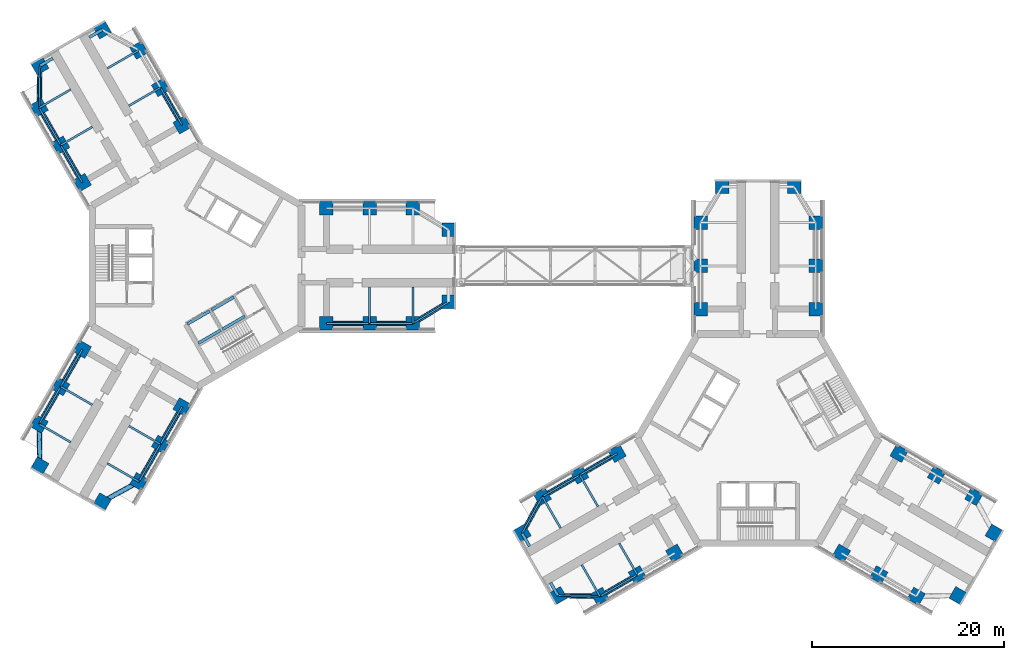
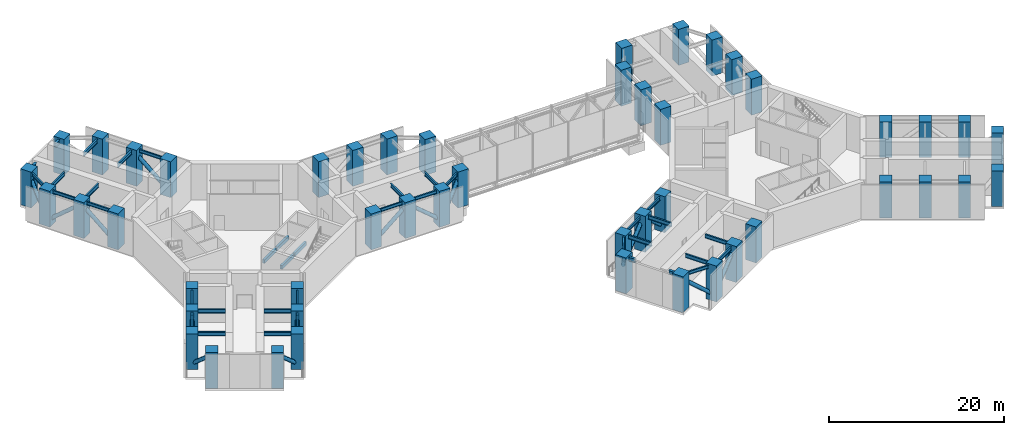
# One storey, part 1 of 17: 48 columns, 38 beams, 18 members.
"""IFC4 building model written with IfcOpenShell, lengths in metres."""

from ifc_helpers import new_model, si_unit, direction, frame, origin, origin_2d, place, context, subcontext, project, spatial, rectangle, hollow_circle, i_section, extrude, material, material_profile, profile_set, type_object, element, save


model = new_model("IFC4")

# Units and contexts
model_context = context("Model", 3, precision=1e-05, world=origin(), true_north=direction((0.0, 1.0)))
body_context = subcontext(model_context, "Body", "Model", "MODEL_VIEW")
ifc_project = project(units=[si_unit("LENGTHUNIT", "METRE"), si_unit("AREAUNIT", "SQUARE_METRE"), si_unit("VOLUMEUNIT", "CUBIC_METRE"), si_unit("PLANEANGLEUNIT", "RADIAN"), si_unit("MASSUNIT", "GRAM", prefix="KILO")], contexts=[model_context])

# Site, building, storey
site_placement = place(None, origin())
site = spatial("IfcSite", under=ifc_project, at=site_placement, CompositionType="ELEMENT")
building_placement = place(site_placement, origin())
building = spatial("IfcBuilding", under=site, at=building_placement, Name="Upepo Twin Towers", CompositionType="ELEMENT")
storey_placement = place(building_placement, frame((0.0, 0.0, 92.5)))
storey = spatial("IfcBuildingStorey", under=building, at=storey_placement, Name="L22", CompositionType="ELEMENT", Elevation=92.5)

# Columns
ifc_material_1 = material(Name="Concrete C60/75", Category="concrete")
ifc_material_profile_1 = material_profile(ifc_material_1, rectangle(XDim=1.39990234375, YDim=1.39990234375, at=origin_2d()), Name="RC 1400x1400")
ifc_profile_set_1 = profile_set([ifc_material_profile_1], Name="Concrete C60/75")
column_type = type_object("IfcColumnType", Name="Tower column RC 1400x1400", PredefinedType="COLUMN", material=ifc_profile_set_1)
for number, where, z_axis, x_axis, name in (
    (1, (13.5, 6.0, 0.0), (0.0, 0.0, 1.0), (1.0, 0.0, 0.0), "T1 column AL135"),
    (2, (13.5, -6.0, 0.0), (0.0, 0.0, 1.0), (1.0, 0.0, 0.0), "T1 column AR135"),
    (3, (18.0, 6.0, 0.0), (0.0, 0.0, 1.0), (1.0, 0.0, 0.0), "T1 column AL180"),
    (4, (18.0, -6.0, 0.0), (0.0, 0.0, 1.0), (1.0, 0.0, 0.0), "T1 column AR180"),
    (5, (22.5, 6.0, 0.0), (0.0, 0.0, 1.0), (1.0, 0.0, 0.0), "T1 column AL225"),
    (6, (22.5, -6.0, 0.0), (0.0, 0.0, 1.0), (1.0, 0.0, 0.0), "T1 column AR225"),
    (7, (26.25, 3.75, 0.0), (0.0, 0.0, 1.0), (1.0, 0.0, 0.0), "T1 column ALN"),
    (8, (26.25, -3.75, 0.0), (0.0, 0.0, 1.0), (1.0, 0.0, 0.0), "T1 column ARN"),
    (9, (-11.946044921875, 8.69140625, 0.0), (0.0, 0.0, 1.0), (0.866025403784, 0.5, 0.0), "T1 column BL135"),
    (10, (-1.553955078125, 14.69140625, 0.0), (0.0, 0.0, 1.0), (0.866025403784, 0.5, 0.0), "T1 column BR135"),
    (11, (-14.196044921875, 12.58837890625, 0.0), (0.0, 0.0, 1.0), (0.866025403784, 0.5, 0.0), "T1 column BL180"),
    (12, (-3.803955078125, 18.58837890625, 0.0), (0.0, 0.0, 1.0), (0.866025403784, 0.5, 0.0), "T1 column BR180"),
    (13, (-16.446044921875, 16.485595703125, 0.0), (0.0, 0.0, 1.0), (0.866025403784, 0.5, 0.0), "T1 column BL225"),
    (14, (-6.053955078125, 22.485595703125, 0.0), (0.0, 0.0, 1.0), (0.866025403784, 0.5, 0.0), "T1 column BR225"),
    (15, (-16.37255859375, 20.858154296875, 0.0), (0.0, 0.0, 1.0), (0.866025403784, 0.5, 0.0), "T1 column BLN"),
    (16, (-9.87744140625, 24.608154296875, 0.0), (0.0, 0.0, 1.0), (0.866025403784, 0.5, 0.0), "T1 column BRN"),
    (17, (-1.553955078125, -14.69140625, 0.0), (0.0, 0.0, 1.0), (0.5, 0.866025403784, 0.0), "T1 column CL135"),
    (18, (-11.946044921875, -8.69140625, 0.0), (0.0, 0.0, 1.0), (0.5, 0.866025403784, 0.0), "T1 column CR135"),
    (19, (-3.803955078125, -18.58837890625, 0.0), (0.0, 0.0, 1.0), (0.5, 0.866025403784, 0.0), "T1 column CL180"),
    (20, (-14.196044921875, -12.58837890625, 0.0), (0.0, 0.0, 1.0), (0.5, 0.866025403784, 0.0), "T1 column CR180"),
    (21, (-6.053955078125, -22.485595703125, 0.0), (0.0, 0.0, 1.0), (0.5, 0.866025403784, 0.0), "T1 column CL225"),
    (22, (-16.446044921875, -16.485595703125, 0.0), (0.0, 0.0, 1.0), (0.5, 0.866025403784, 0.0), "T1 column CR225"),
    (23, (-9.87744140625, -24.608154296875, 0.0), (0.0, 0.0, 1.0), (0.5, 0.866025403784, 0.0), "T1 column CLN"),
    (24, (-16.37255859375, -20.858154296875, 0.0), (0.0, 0.0, 1.0), (0.5, 0.866025403784, 0.0), "T1 column CRN"),
    (25, (52.5, -4.5, 0.0), (0.0, 0.0, 1.0), (1.0, 0.0, 0.0), "T2 column AL135"),
    (26, (64.5, -4.5, 0.0), (0.0, 0.0, 1.0), (1.0, 0.0, 0.0), "T2 column AR135"),
    (27, (52.5, 0.0, 0.0), (0.0, 0.0, 1.0), (1.0, 0.0, 0.0), "T2 column AL180"),
    (28, (64.5, 0.0, 0.0), (0.0, 0.0, 1.0), (1.0, 0.0, 0.0), "T2 column AR180"),
    (29, (52.5, 4.5, 0.0), (0.0, 0.0, 1.0), (1.0, 0.0, 0.0), "T2 column AL225"),
    (30, (64.5, 4.5, 0.0), (0.0, 0.0, 1.0), (1.0, 0.0, 0.0), "T2 column AR225"),
    (31, (54.75, 8.25, 0.0), (0.0, 0.0, 1.0), (1.0, 0.0, 0.0), "T2 column ALN"),
    (32, (62.25, 8.25, 0.0), (0.0, 0.0, 1.0), (1.0, 0.0, 0.0), "T2 column ARN"),
    (33, (49.80859375, -29.946044921875, 0.0), (0.0, 0.0, 1.0), (0.866025403784, 0.5, 0.0), "T2 column BL135"),
    (34, (43.80859375, -19.553955078125, 0.0), (0.0, 0.0, 1.0), (0.866025403784, 0.5, 0.0), "T2 column BR135"),
    (35, (45.91162109375, -32.196044921875, 0.0), (0.0, 0.0, 1.0), (0.866025403784, 0.5, 0.0), "T2 column BL180"),
    (36, (39.91162109375, -21.803955078125, 0.0), (0.0, 0.0, 1.0), (0.866025403784, 0.5, 0.0), "T2 column BR180"),
    (37, (42.014404296875, -34.446044921875, 0.0), (0.0, 0.0, 1.0), (0.866025403784, 0.5, 0.0), "T2 column BL225"),
    (38, (36.014404296875, -24.053955078125, 0.0), (0.0, 0.0, 1.0), (0.866025403784, 0.5, 0.0), "T2 column BR225"),
    (39, (37.641845703125, -34.37255859375, 0.0), (0.0, 0.0, 1.0), (0.866025403784, 0.5, 0.0), "T2 column BLN"),
    (40, (33.891845703125, -27.87744140625, 0.0), (0.0, 0.0, 1.0), (0.866025403784, 0.5, 0.0), "T2 column BRN"),
    (41, (73.19140625, -19.553955078125, 0.0), (0.0, 0.0, 1.0), (0.5, 0.866025403784, 0.0), "T2 column CL135"),
    (42, (67.19140625, -29.946044921875, 0.0), (0.0, 0.0, 1.0), (0.5, 0.866025403784, 0.0), "T2 column CR135"),
    (43, (77.08837890625, -21.803955078125, 0.0), (0.0, 0.0, 1.0), (0.5, 0.866025403784, 0.0), "T2 column CL180"),
    (44, (71.08837890625, -32.196044921875, 0.0), (0.0, 0.0, 1.0), (0.5, 0.866025403784, 0.0), "T2 column CR180"),
    (45, (80.985595703125, -24.053955078125, 0.0), (0.0, 0.0, 1.0), (0.5, 0.866025403784, 0.0), "T2 column CL225"),
    (46, (74.985595703125, -34.446044921875, 0.0), (0.0, 0.0, 1.0), (0.5, 0.866025403784, 0.0), "T2 column CR225"),
    (47, (83.108154296875, -27.87744140625, 0.0), (0.0, 0.0, 1.0), (0.5, 0.866025403784, 0.0), "T2 column CLN"),
    (48, (79.358154296875, -34.37255859375, 0.0), (0.0, 0.0, 1.0), (0.5, 0.866025403784, 0.0), "T2 column CRN"),
):
    element("IfcColumn", number, at=place(storey_placement, frame(where, z_axis=z_axis, x_axis=x_axis)), inside=storey, type_object=column_type, Name=name, PredefinedType="COLUMN", context=body_context, shape_type="SweptSolid", body=[
        extrude(rectangle(XDim=1.39990234375, YDim=1.39990234375, at=origin_2d()), origin(), (0.0, 0.0, 1.0), 5.0),
    ])

# Beams
ifc_material_2 = material(Name="Steel S355", Category="steel")
ifc_material_profile_2 = material_profile(ifc_material_2, i_section(OverallWidth=0.1904296875, OverallDepth=0.45703125, WebThickness=0.009033203125, FlangeThickness=0.014404296875, FilletRadius=0.01025390625, at=origin_2d()), Name="UB 457x191x74")
ifc_profile_set_2 = profile_set([ifc_material_profile_2], Name="Steel S355")
beam_type_1 = type_object("IfcBeamType", Name="Beam UB 457x191x74", PredefinedType="BEAM", material=ifc_profile_set_2)
for number, where, z_axis, x_axis, name in (
    (49, (13.5, -6.0, 4.571533203125), (1.0, 0.0, 0.0), (0.0, 1.0, 0.0), "T1 edge beam AR 13.5-18.0"),
    (50, (18.0, -6.0, 4.571533203125), (1.0, 0.0, 0.0), (0.0, 1.0, 0.0), "T1 edge beam AR 18.0-22.5"),
):
    element("IfcBeam", number, at=place(storey_placement, frame(where, z_axis=z_axis, x_axis=x_axis)), inside=storey, type_object=beam_type_1, Name=name, PredefinedType="BEAM", context=body_context, shape_type="SweptSolid", body=[
        extrude(i_section(OverallWidth=0.1904296875, OverallDepth=0.45703125, WebThickness=0.009033203125, FlangeThickness=0.014404296875, FilletRadius=0.01025390625, at=origin_2d()), origin(), (0.0, 0.0, 1.0), 4.5),
    ])
beam_1_placement = place(storey_placement, frame((22.5, -6.0, 4.571533203125), z_axis=(0.857492925713, 0.514495755428, 0.0), x_axis=(-0.514495755428, 0.857492925713, 0.0)))
element("IfcBeam", 51, at=beam_1_placement, inside=storey, type_object=beam_type_1, Name="T1 nose edge beam AR", PredefinedType="BEAM", context=body_context, shape_type="SweptSolid", body=[
    extrude(i_section(OverallWidth=0.1904296875, OverallDepth=0.45703125, WebThickness=0.009033203125, FlangeThickness=0.014404296875, FilletRadius=0.01025390625, at=origin_2d()), origin(), (0.0, 0.0, 1.0), 4.373291015625),
])
beam_2_placement = place(storey_placement, frame((-11.946044921875, 8.69140625, 4.571533203125), z_axis=(-0.500013631625, 0.866017533419, 0.0), x_axis=(-0.866017533419, -0.500013631625, 0.0)))
element("IfcBeam", 52, at=beam_2_placement, inside=storey, type_object=beam_type_1, Name="T1 edge beam BL 13.5-18.0", PredefinedType="BEAM", context=body_context, shape_type="SweptSolid", body=[
    extrude(i_section(OverallWidth=0.1904296875, OverallDepth=0.45703125, WebThickness=0.009033203125, FlangeThickness=0.014404296875, FilletRadius=0.01025390625, at=origin_2d()), origin(), (0.0, 0.0, 1.0), 4.499755859375),
])
beam_3_placement = place(storey_placement, frame((-14.196044921875, 12.58837890625, 4.571533203125), z_axis=(-0.499990139034, 0.866031096941, 0.0), x_axis=(-0.866031096941, -0.499990139034, 0.0)))
element("IfcBeam", 53, at=beam_3_placement, inside=storey, type_object=beam_type_1, Name="T1 edge beam BL 18.0-22.5", PredefinedType="BEAM", context=body_context, shape_type="SweptSolid", body=[
    extrude(i_section(OverallWidth=0.1904296875, OverallDepth=0.45703125, WebThickness=0.009033203125, FlangeThickness=0.014404296875, FilletRadius=0.01025390625, at=origin_2d()), origin(), (0.0, 0.0, 1.0), 4.5),
])
beam_4_placement = place(storey_placement, frame((-16.446044921875, 16.485595703125, 4.571533203125), z_axis=(0.016803880528, 0.999858804832, 0.0), x_axis=(-0.999858804832, 0.016803880528, 0.0)))
element("IfcBeam", 54, at=beam_4_placement, inside=storey, type_object=beam_type_1, Name="T1 nose edge beam BL", PredefinedType="BEAM", context=body_context, shape_type="SweptSolid", body=[
    extrude(i_section(OverallWidth=0.1904296875, OverallDepth=0.45703125, WebThickness=0.009033203125, FlangeThickness=0.014404296875, FilletRadius=0.01025390625, at=origin_2d()), origin(), (0.0, 0.0, 1.0), 4.373291015625),
])
for number, where, z_axis, x_axis, name in (
    (55, (-1.553955078125, 14.69140625, 4.571533203125), (-0.500013631625, 0.866017533419, 0.0), (-0.866017533419, -0.500013631625, 0.0), "T1 edge beam BR 13.5-18.0"),
    (56, (-1.553955078125, -14.69140625, 4.571533203125), (-0.500013631625, -0.866017533419, 0.0), (0.866017533419, -0.500013631625, 0.0), "T1 edge beam CL 13.5-18.0"),
):
    element("IfcBeam", number, at=place(storey_placement, frame(where, z_axis=z_axis, x_axis=x_axis)), inside=storey, type_object=beam_type_1, Name=name, PredefinedType="BEAM", context=body_context, shape_type="SweptSolid", body=[
        extrude(i_section(OverallWidth=0.1904296875, OverallDepth=0.45703125, WebThickness=0.009033203125, FlangeThickness=0.014404296875, FilletRadius=0.01025390625, at=origin_2d()), origin(), (0.0, 0.0, 1.0), 4.499755859375),
    ])
beam_5_placement = place(storey_placement, frame((-3.803955078125, -18.58837890625, 4.571533203125), z_axis=(-0.499990139034, -0.866031096941, 0.0), x_axis=(0.866031096941, -0.499990139034, 0.0)))
element("IfcBeam", 57, at=beam_5_placement, inside=storey, type_object=beam_type_1, Name="T1 edge beam CL 18.0-22.5", PredefinedType="BEAM", context=body_context, shape_type="SweptSolid", body=[
    extrude(i_section(OverallWidth=0.1904296875, OverallDepth=0.45703125, WebThickness=0.009033203125, FlangeThickness=0.014404296875, FilletRadius=0.01025390625, at=origin_2d()), origin(), (0.0, 0.0, 1.0), 4.5),
])
beam_6_placement = place(storey_placement, frame((-11.946044921875, -8.69140625, 4.571533203125), z_axis=(-0.500013631625, -0.866017533419, 0.0), x_axis=(0.866017533419, -0.500013631625, 0.0)))
element("IfcBeam", 58, at=beam_6_placement, inside=storey, type_object=beam_type_1, Name="T1 edge beam CR 13.5-18.0", PredefinedType="BEAM", context=body_context, shape_type="SweptSolid", body=[
    extrude(i_section(OverallWidth=0.1904296875, OverallDepth=0.45703125, WebThickness=0.009033203125, FlangeThickness=0.014404296875, FilletRadius=0.01025390625, at=origin_2d()), origin(), (0.0, 0.0, 1.0), 4.499755859375),
])
for number, where, z_axis, x_axis, name in (
    (59, (-14.196044921875, -12.58837890625, 4.571533203125), (-0.499990139034, -0.866031096941, 0.0), (0.866031096941, -0.499990139034, 0.0), "T1 edge beam CR 18.0-22.5"),
    (60, (45.91162109375, -32.196044921875, 4.571533203125), (-0.866031096941, -0.499990139034, 0.0), (0.499990139034, -0.866031096941, 0.0), "T2 edge beam BL 18.0-22.5"),
):
    element("IfcBeam", number, at=place(storey_placement, frame(where, z_axis=z_axis, x_axis=x_axis)), inside=storey, type_object=beam_type_1, Name=name, PredefinedType="BEAM", context=body_context, shape_type="SweptSolid", body=[
        extrude(i_section(OverallWidth=0.1904296875, OverallDepth=0.45703125, WebThickness=0.009033203125, FlangeThickness=0.014404296875, FilletRadius=0.01025390625, at=origin_2d()), origin(), (0.0, 0.0, 1.0), 4.5),
    ])
beam_7_placement = place(storey_placement, frame((42.014404296875, -34.446044921875, 4.571533203125), z_axis=(-0.999858804832, 0.016803880528, 0.0), x_axis=(-0.016803880528, -0.999858804832, 0.0)))
element("IfcBeam", 61, at=beam_7_placement, inside=storey, type_object=beam_type_1, Name="T2 nose edge beam BL", PredefinedType="BEAM", context=body_context, shape_type="SweptSolid", body=[
    extrude(i_section(OverallWidth=0.1904296875, OverallDepth=0.45703125, WebThickness=0.009033203125, FlangeThickness=0.014404296875, FilletRadius=0.01025390625, at=origin_2d()), origin(), (0.0, 0.0, 1.0), 4.373291015625),
])
beam_8_placement = place(storey_placement, frame((43.80859375, -19.553955078125, 4.571533203125), z_axis=(-0.866017533419, -0.500013631625, 0.0), x_axis=(0.500013631625, -0.866017533419, 0.0)))
element("IfcBeam", 62, at=beam_8_placement, inside=storey, type_object=beam_type_1, Name="T2 edge beam BR 13.5-18.0", PredefinedType="BEAM", context=body_context, shape_type="SweptSolid", body=[
    extrude(i_section(OverallWidth=0.1904296875, OverallDepth=0.45703125, WebThickness=0.009033203125, FlangeThickness=0.014404296875, FilletRadius=0.01025390625, at=origin_2d()), origin(), (0.0, 0.0, 1.0), 4.499755859375),
])
beam_9_placement = place(storey_placement, frame((39.91162109375, -21.803955078125, 4.571533203125), z_axis=(-0.866031096941, -0.499990139034, 0.0), x_axis=(0.499990139034, -0.866031096941, 0.0)))
element("IfcBeam", 63, at=beam_9_placement, inside=storey, type_object=beam_type_1, Name="T2 edge beam BR 18.0-22.5", PredefinedType="BEAM", context=body_context, shape_type="SweptSolid", body=[
    extrude(i_section(OverallWidth=0.1904296875, OverallDepth=0.45703125, WebThickness=0.009033203125, FlangeThickness=0.014404296875, FilletRadius=0.01025390625, at=origin_2d()), origin(), (0.0, 0.0, 1.0), 4.5),
])
beam_10_placement = place(storey_placement, frame((36.014404296875, -24.053955078125, 4.571533203125), z_axis=(-0.485363242752, -0.874312600038, 0.0), x_axis=(0.874312600038, -0.485363242752, 0.0)))
element("IfcBeam", 64, at=beam_10_placement, inside=storey, type_object=beam_type_1, Name="T2 nose edge beam BR", PredefinedType="BEAM", context=body_context, shape_type="SweptSolid", body=[
    extrude(i_section(OverallWidth=0.1904296875, OverallDepth=0.45703125, WebThickness=0.009033203125, FlangeThickness=0.014404296875, FilletRadius=0.01025390625, at=origin_2d()), origin(), (0.0, 0.0, 1.0), 4.373046875),
])
ifc_material_3 = material(Name="Steel S355", Category="steel")
ifc_material_profile_3 = material_profile(ifc_material_3, i_section(OverallWidth=0.209228515625, OverallDepth=0.533203125, WebThickness=0.010009765625, FlangeThickness=0.015625, FilletRadius=0.0126953125, at=origin_2d()), Name="UB 533x210x92")
ifc_profile_set_3 = profile_set([ifc_material_profile_3], Name="Steel S355")
beam_type_2 = type_object("IfcBeamType", Name="Beam UB 533x210x92", PredefinedType="BEAM", material=ifc_profile_set_3)
for number, where, z_axis, x_axis, name in (
    (65, (18.0, -6.0, 4.533447265625), (0.0, 1.0, 0.0), (-1.0, 0.0, 0.0), "T1 girder AR at 18.0"),
    (66, (22.5, -6.0, 4.533447265625), (0.0, 1.0, 0.0), (-1.0, 0.0, 0.0), "T1 girder AR at 22.5"),
    (67, (-14.196044921875, 12.58837890625, 4.533447265625), (0.866000483506, 0.500043160704, 0.0), (-0.500043160704, 0.866000483506, 0.0), "T1 girder BL at 18.0"),
):
    element("IfcBeam", number, at=place(storey_placement, frame(where, z_axis=z_axis, x_axis=x_axis)), inside=storey, type_object=beam_type_2, Name=name, PredefinedType="BEAM", context=body_context, shape_type="SweptSolid", body=[
        extrude(i_section(OverallWidth=0.209228515625, OverallDepth=0.533203125, WebThickness=0.010009765625, FlangeThickness=0.015625, FilletRadius=0.0126953125, at=origin_2d()), origin(), (0.0, 0.0, 1.0), 3.800048828125),
    ])
for number, where, z_axis, x_axis, name in (
    (68, (-16.446044921875, 16.485595703125, 4.533447265625), (0.866028304915, 0.499994975061, 0.0), (-0.499994975061, 0.866028304915, 0.0), "T1 girder BL at 22.5"),
    (69, (-3.803955078125, 18.58837890625, 4.533447265625), (-0.866028304915, -0.499994975061, 0.0), (0.499994975061, -0.866028304915, 0.0), "T1 girder BR at 18.0"),
    (70, (-6.053955078125, 22.485595703125, 4.533447265625), (-0.866028304915, -0.499994975061, 0.0), (0.499994975061, -0.866028304915, 0.0), "T1 girder BR at 22.5"),
    (71, (-3.803955078125, -18.58837890625, 4.533447265625), (-0.866028304915, 0.499994975061, 0.0), (-0.499994975061, -0.866028304915, 0.0), "T1 girder CL at 18.0"),
    (72, (-6.053955078125, -22.485595703125, 4.533447265625), (-0.866028304915, 0.499994975061, 0.0), (-0.499994975061, -0.866028304915, 0.0), "T1 girder CL at 22.5"),
):
    element("IfcBeam", number, at=place(storey_placement, frame(where, z_axis=z_axis, x_axis=x_axis)), inside=storey, type_object=beam_type_2, Name=name, PredefinedType="BEAM", context=body_context, shape_type="SweptSolid", body=[
        extrude(i_section(OverallWidth=0.209228515625, OverallDepth=0.533203125, WebThickness=0.010009765625, FlangeThickness=0.015625, FilletRadius=0.0126953125, at=origin_2d()), origin(), (0.0, 0.0, 1.0), 3.7998046875),
    ])
beam_11_placement = place(storey_placement, frame((-14.196044921875, -12.58837890625, 4.533447265625), z_axis=(0.866000483506, -0.500043160704, 0.0), x_axis=(0.500043160704, 0.866000483506, 0.0)))
element("IfcBeam", 73, at=beam_11_placement, inside=storey, type_object=beam_type_2, Name="T1 girder CR at 18.0", PredefinedType="BEAM", context=body_context, shape_type="SweptSolid", body=[
    extrude(i_section(OverallWidth=0.209228515625, OverallDepth=0.533203125, WebThickness=0.010009765625, FlangeThickness=0.015625, FilletRadius=0.0126953125, at=origin_2d()), origin(), (0.0, 0.0, 1.0), 3.800048828125),
])
beam_12_placement = place(storey_placement, frame((-16.446044921875, -16.485595703125, 4.533447265625), z_axis=(0.866028304915, -0.499994975061, 0.0), x_axis=(0.499994975061, 0.866028304915, 0.0)))
element("IfcBeam", 74, at=beam_12_placement, inside=storey, type_object=beam_type_2, Name="T1 girder CR at 22.5", PredefinedType="BEAM", context=body_context, shape_type="SweptSolid", body=[
    extrude(i_section(OverallWidth=0.209228515625, OverallDepth=0.533203125, WebThickness=0.010009765625, FlangeThickness=0.015625, FilletRadius=0.0126953125, at=origin_2d()), origin(), (0.0, 0.0, 1.0), 3.7998046875),
])
beam_13_placement = place(storey_placement, frame((45.91162109375, -32.196044921875, 4.533447265625), z_axis=(-0.500043160704, 0.866000483506, 0.0), x_axis=(-0.866000483506, -0.500043160704, 0.0)))
element("IfcBeam", 75, at=beam_13_placement, inside=storey, type_object=beam_type_2, Name="T2 girder BL at 18.0", PredefinedType="BEAM", context=body_context, shape_type="SweptSolid", body=[
    extrude(i_section(OverallWidth=0.209228515625, OverallDepth=0.533203125, WebThickness=0.010009765625, FlangeThickness=0.015625, FilletRadius=0.0126953125, at=origin_2d()), origin(), (0.0, 0.0, 1.0), 3.800048828125),
])
for number, where, z_axis, x_axis, name in (
    (76, (42.014404296875, -34.446044921875, 4.533447265625), (-0.499994975061, 0.866028304915, 0.0), (-0.866028304915, -0.499994975061, 0.0), "T2 girder BL at 22.5"),
    (77, (39.91162109375, -21.803955078125, 4.533447265625), (0.499994975061, -0.866028304915, 0.0), (0.866028304915, 0.499994975061, 0.0), "T2 girder BR at 18.0"),
    (78, (36.014404296875, -24.053955078125, 4.533447265625), (0.499994975061, -0.866028304915, 0.0), (0.866028304915, 0.499994975061, 0.0), "T2 girder BR at 22.5"),
):
    element("IfcBeam", number, at=place(storey_placement, frame(where, z_axis=z_axis, x_axis=x_axis)), inside=storey, type_object=beam_type_2, Name=name, PredefinedType="BEAM", context=body_context, shape_type="SweptSolid", body=[
        extrude(i_section(OverallWidth=0.209228515625, OverallDepth=0.533203125, WebThickness=0.010009765625, FlangeThickness=0.015625, FilletRadius=0.0126953125, at=origin_2d()), origin(), (0.0, 0.0, 1.0), 3.7998046875),
    ])
ifc_material_4 = material(Name="Steel S355", Category="steel")
ifc_material_profile_4 = material_profile(ifc_material_4, i_section(OverallWidth=0.31201171875, OverallDepth=0.54345703125, WebThickness=0.0126953125, FlangeThickness=0.020263671875, FilletRadius=0.0126953125, at=origin_2d()), Name="UB 533x312x150")
ifc_profile_set_4 = profile_set([ifc_material_profile_4], Name="Steel S355")
beam_type_3 = type_object("IfcBeamType", Name="Beam UB 533x312x150", PredefinedType="BEAM", material=ifc_profile_set_4)
for number, where, z_axis, x_axis, name in (
    (79, (-16.37255859375, 20.858154296875, 4.5283203125), (0.866043940782, 0.499967891604, 0.0), (-0.499967891604, 0.866043940782, 0.0), "T1 nose beam BL"),
    (80, (-9.87744140625, 24.608154296875, 4.5283203125), (-0.866043940782, -0.499967891604, 0.0), (0.499967891604, -0.866043940782, 0.0), "T1 nose beam BR"),
    (81, (37.641845703125, -34.37255859375, 4.5283203125), (-0.499967891604, 0.866043940782, 0.0), (-0.866043940782, -0.499967891604, 0.0), "T2 nose beam BL"),
    (82, (33.891845703125, -27.87744140625, 4.5283203125), (0.499967891604, -0.866043940782, 0.0), (0.866043940782, 0.499967891604, 0.0), "T2 nose beam BR"),
):
    element("IfcBeam", number, at=place(storey_placement, frame(where, z_axis=z_axis, x_axis=x_axis)), inside=storey, type_object=beam_type_3, Name=name, PredefinedType="BEAM", context=body_context, shape_type="SweptSolid", body=[
        extrude(i_section(OverallWidth=0.31201171875, OverallDepth=0.54345703125, WebThickness=0.0126953125, FlangeThickness=0.020263671875, FilletRadius=0.0126953125, at=origin_2d()), origin(), (0.0, 0.0, 1.0), 1.5498046875),
    ])

# Members
ifc_material_5 = material(Name="Steel S355", Category="steel")
ifc_material_profile_5 = material_profile(ifc_material_5, hollow_circle(Radius=0.25390625, WallThickness=0.02490234375, at=origin_2d()), Name="CHS 508.0x25.0")
ifc_profile_set_5 = profile_set([ifc_material_profile_5], Name="Steel S355")
member_type = type_object("IfcMemberType", Name="Belt truss diagonal CHS 508.0x25.0", PredefinedType="BRACE", material=ifc_profile_set_5)
for number, where, z_axis, x_axis, name in (
    (83, (13.5, -6.0, 0.39990234375), (0.764025829276, 0.0, 0.645185657155), (0.0, 1.0, 0.0), "T1 belt truss diagonal AR1"),
    (84, (22.5, -6.0, 0.39990234375), (-0.764025829276, 0.0, 0.645185657155), (0.0, -1.0, 0.0), "T1 belt truss diagonal AR2"),
):
    element("IfcMember", number, at=place(storey_placement, frame(where, z_axis=z_axis, x_axis=x_axis)), inside=storey, type_object=member_type, Name=name, PredefinedType="BRACE", context=body_context, shape_type="SweptSolid", body=[
        extrude(hollow_circle(Radius=0.25390625, WallThickness=0.02490234375, at=origin_2d()), origin(), (0.0, 0.0, 1.0), 5.889892578125),
    ])
member_1_placement = place(storey_placement, frame((22.5, -6.0, 0.39990234375), z_axis=(0.647270093312, 0.388362055987, 0.655908789218), x_axis=(-0.514495755428, 0.857492925713, 0.0)))
element("IfcMember", 85, at=member_1_placement, inside=storey, type_object=member_type, Name="T1 belt truss nose diagonal AR", PredefinedType="BRACE", context=body_context, shape_type="SweptSolid", body=[
    extrude(hollow_circle(Radius=0.25390625, WallThickness=0.02490234375, at=origin_2d()), origin(), (0.0, 0.0, 1.0), 5.79345703125),
])
member_2_placement = place(storey_placement, frame((-11.946044921875, 8.69140625, 0.39990234375), z_axis=(-0.382018994089, 0.66165225517, 0.645195924804), x_axis=(-0.866017533419, -0.500013631625, 0.0)))
element("IfcMember", 86, at=member_2_placement, inside=storey, type_object=member_type, Name="T1 belt truss diagonal BL1", PredefinedType="BRACE", context=body_context, shape_type="SweptSolid", body=[
    extrude(hollow_circle(Radius=0.25390625, WallThickness=0.02490234375, at=origin_2d()), origin(), (0.0, 0.0, 1.0), 5.8896484375),
])
member_3_placement = place(storey_placement, frame((-16.446044921875, 16.485595703125, 0.39990234375), z_axis=(0.382008516702, -0.66167555904, 0.645178229434), x_axis=(0.866031096941, 0.499990139034, 0.0)))
element("IfcMember", 87, at=member_3_placement, inside=storey, type_object=member_type, Name="T1 belt truss diagonal BL2", PredefinedType="BRACE", context=body_context, shape_type="SweptSolid", body=[
    extrude(hollow_circle(Radius=0.25390625, WallThickness=0.02490234375, at=origin_2d()), origin(), (0.0, 0.0, 1.0), 5.889892578125),
])
member_4_placement = place(storey_placement, frame((-16.446044921875, 16.485595703125, 0.39990234375), z_axis=(0.012684196551, 0.754730764906, 0.655912024331), x_axis=(-0.999858804832, 0.016803880528, 0.0)))
element("IfcMember", 88, at=member_4_placement, inside=storey, type_object=member_type, Name="T1 belt truss nose diagonal BL", PredefinedType="BRACE", context=body_context, shape_type="SweptSolid", body=[
    extrude(hollow_circle(Radius=0.25390625, WallThickness=0.02490234375, at=origin_2d()), origin(), (0.0, 0.0, 1.0), 5.79345703125),
])
for number, where, z_axis, x_axis, name in (
    (89, (-1.553955078125, 14.69140625, 0.39990234375), (-0.382018994089, 0.66165225517, 0.645195924804), (-0.866017533419, -0.500013631625, 0.0), "T1 belt truss diagonal BR1"),
    (90, (-1.553955078125, -14.69140625, 0.39990234375), (-0.382018994089, -0.66165225517, 0.645195924804), (0.866017533419, -0.500013631625, 0.0), "T1 belt truss diagonal CL1"),
):
    element("IfcMember", number, at=place(storey_placement, frame(where, z_axis=z_axis, x_axis=x_axis)), inside=storey, type_object=member_type, Name=name, PredefinedType="BRACE", context=body_context, shape_type="SweptSolid", body=[
        extrude(hollow_circle(Radius=0.25390625, WallThickness=0.02490234375, at=origin_2d()), origin(), (0.0, 0.0, 1.0), 5.8896484375),
    ])
member_5_placement = place(storey_placement, frame((-6.053955078125, -22.485595703125, 0.39990234375), z_axis=(0.382008516702, 0.66167555904, 0.645178229434), x_axis=(-0.866031096941, 0.499990139034, 0.0)))
element("IfcMember", 91, at=member_5_placement, inside=storey, type_object=member_type, Name="T1 belt truss diagonal CL2", PredefinedType="BRACE", context=body_context, shape_type="SweptSolid", body=[
    extrude(hollow_circle(Radius=0.25390625, WallThickness=0.02490234375, at=origin_2d()), origin(), (0.0, 0.0, 1.0), 5.889892578125),
])
member_6_placement = place(storey_placement, frame((-6.053955078125, -22.485595703125, 0.39990234375), z_axis=(-0.659961082626, -0.366368792053, 0.65591560252), x_axis=(0.485363242752, -0.874312600038, 0.0)))
element("IfcMember", 92, at=member_6_placement, inside=storey, type_object=member_type, Name="T1 belt truss nose diagonal CL", PredefinedType="BRACE", context=body_context, shape_type="SweptSolid", body=[
    extrude(hollow_circle(Radius=0.25390625, WallThickness=0.02490234375, at=origin_2d()), origin(), (0.0, 0.0, 1.0), 5.79345703125),
])
member_7_placement = place(storey_placement, frame((-11.946044921875, -8.69140625, 0.39990234375), z_axis=(-0.382018994089, -0.66165225517, 0.645195924804), x_axis=(0.866017533419, -0.500013631625, 0.0)))
element("IfcMember", 93, at=member_7_placement, inside=storey, type_object=member_type, Name="T1 belt truss diagonal CR1", PredefinedType="BRACE", context=body_context, shape_type="SweptSolid", body=[
    extrude(hollow_circle(Radius=0.25390625, WallThickness=0.02490234375, at=origin_2d()), origin(), (0.0, 0.0, 1.0), 5.8896484375),
])
member_8_placement = place(storey_placement, frame((-16.446044921875, -16.485595703125, 0.39990234375), z_axis=(0.382008516702, 0.66167555904, 0.645178229434), x_axis=(-0.866031096941, 0.499990139034, 0.0)))
element("IfcMember", 94, at=member_8_placement, inside=storey, type_object=member_type, Name="T1 belt truss diagonal CR2", PredefinedType="BRACE", context=body_context, shape_type="SweptSolid", body=[
    extrude(hollow_circle(Radius=0.25390625, WallThickness=0.02490234375, at=origin_2d()), origin(), (0.0, 0.0, 1.0), 5.889892578125),
])
member_9_placement = place(storey_placement, frame((-16.446044921875, -16.485595703125, 0.39990234375), z_axis=(0.012684196551, -0.754730764906, 0.655912024331), x_axis=(0.999858804832, 0.016803880528, 0.0)))
element("IfcMember", 95, at=member_9_placement, inside=storey, type_object=member_type, Name="T1 belt truss nose diagonal CR", PredefinedType="BRACE", context=body_context, shape_type="SweptSolid", body=[
    extrude(hollow_circle(Radius=0.25390625, WallThickness=0.02490234375, at=origin_2d()), origin(), (0.0, 0.0, 1.0), 5.79345703125),
])
member_10_placement = place(storey_placement, frame((42.014404296875, -34.446044921875, 0.39990234375), z_axis=(0.66167555904, 0.382008516702, 0.645178229434), x_axis=(-0.499990139034, 0.866031096941, 0.0)))
element("IfcMember", 96, at=member_10_placement, inside=storey, type_object=member_type, Name="T2 belt truss diagonal BL2", PredefinedType="BRACE", context=body_context, shape_type="SweptSolid", body=[
    extrude(hollow_circle(Radius=0.25390625, WallThickness=0.02490234375, at=origin_2d()), origin(), (0.0, 0.0, 1.0), 5.889892578125),
])
member_11_placement = place(storey_placement, frame((42.014404296875, -34.446044921875, 0.39990234375), z_axis=(-0.754730764906, 0.012684196551, 0.655912024331), x_axis=(-0.016803880528, -0.999858804832, 0.0)))
element("IfcMember", 97, at=member_11_placement, inside=storey, type_object=member_type, Name="T2 belt truss nose diagonal BL", PredefinedType="BRACE", context=body_context, shape_type="SweptSolid", body=[
    extrude(hollow_circle(Radius=0.25390625, WallThickness=0.02490234375, at=origin_2d()), origin(), (0.0, 0.0, 1.0), 5.79345703125),
])
member_12_placement = place(storey_placement, frame((43.80859375, -19.553955078125, 0.39990234375), z_axis=(-0.66165225517, -0.382018994089, 0.645195924804), x_axis=(0.500013631625, -0.866017533419, 0.0)))
element("IfcMember", 98, at=member_12_placement, inside=storey, type_object=member_type, Name="T2 belt truss diagonal BR1", PredefinedType="BRACE", context=body_context, shape_type="SweptSolid", body=[
    extrude(hollow_circle(Radius=0.25390625, WallThickness=0.02490234375, at=origin_2d()), origin(), (0.0, 0.0, 1.0), 5.8896484375),
])
member_13_placement = place(storey_placement, frame((36.014404296875, -24.053955078125, 0.39990234375), z_axis=(0.66167555904, 0.382008516702, 0.645178229434), x_axis=(-0.499990139034, 0.866031096941, 0.0)))
element("IfcMember", 99, at=member_13_placement, inside=storey, type_object=member_type, Name="T2 belt truss diagonal BR2", PredefinedType="BRACE", context=body_context, shape_type="SweptSolid", body=[
    extrude(hollow_circle(Radius=0.25390625, WallThickness=0.02490234375, at=origin_2d()), origin(), (0.0, 0.0, 1.0), 5.889892578125),
])
member_14_placement = place(storey_placement, frame((36.014404296875, -24.053955078125, 0.39990234375), z_axis=(-0.366368792053, -0.659961082626, 0.65591560252), x_axis=(0.874312600038, -0.485363242752, 0.0)))
element("IfcMember", 100, at=member_14_placement, inside=storey, type_object=member_type, Name="T2 belt truss nose diagonal BR", PredefinedType="BRACE", context=body_context, shape_type="SweptSolid", body=[
    extrude(hollow_circle(Radius=0.25390625, WallThickness=0.02490234375, at=origin_2d()), origin(), (0.0, 0.0, 1.0), 5.79345703125),
])

# Beams
ifc_material_6 = material(Name="Concrete C40/50", Category="concrete")
ifc_material_profile_6 = material_profile(ifc_material_6, rectangle(XDim=0.300048828125, YDim=0.5, at=origin_2d()), Name="RC 300x500")
ifc_profile_set_6 = profile_set([ifc_material_profile_6], Name="Concrete C40/50")
beam_type_4 = type_object("IfcBeamType", Name="Lift pit beam RC 300x500", PredefinedType="BEAM", material=ifc_profile_set_6)
for number, where, z_axis, x_axis, name in (
    (101, (-1.00244140625, -6.063720703125, 2.85009765625), (0.86599734893, 0.500048589285, 0.0), (-0.500048589285, 0.86599734893, 0.0), "T1 lift ML1 pit beam 1"),
    (102, (0.1474609375, -8.055419921875, 2.85009765625), (0.866059108428, 0.4999416173, 0.0), (-0.4999416173, 0.866059108428, 0.0), "T1 lift ML1 pit beam 2"),
):
    element("IfcBeam", number, at=place(storey_placement, frame(where, z_axis=z_axis, x_axis=x_axis)), inside=storey, type_object=beam_type_4, Name=name, PredefinedType="BEAM", context=body_context, shape_type="SweptSolid", body=[
        extrude(rectangle(XDim=0.300048828125, YDim=0.5, at=origin_2d()), origin(), (0.0, 0.0, 1.0), 2.699951171875),
    ])
beam_14_placement = place(storey_placement, frame((1.509033203125, -4.613525390625, 2.85009765625), z_axis=(0.866036505625, 0.499980770555, 0.0), x_axis=(-0.499980770555, 0.866036505625, 0.0)))
element("IfcBeam", 103, at=beam_14_placement, inside=storey, type_object=beam_type_4, Name="T1 lift ML2 pit beam 1", PredefinedType="BEAM", context=body_context, shape_type="SweptSolid", body=[
    extrude(rectangle(XDim=0.300048828125, YDim=0.5, at=origin_2d()), origin(), (0.0, 0.0, 1.0), 2.69970703125),
])
beam_15_placement = place(storey_placement, frame((2.658935546875, -6.60546875, 2.85009765625), z_axis=(0.866019956843, 0.50000943426, 0.0), x_axis=(-0.50000943426, 0.866019956843, 0.0)))
element("IfcBeam", 104, at=beam_15_placement, inside=storey, type_object=beam_type_4, Name="T1 lift ML2 pit beam 2", PredefinedType="BEAM", context=body_context, shape_type="SweptSolid", body=[
    extrude(rectangle(XDim=0.300048828125, YDim=0.5, at=origin_2d()), origin(), (0.0, 0.0, 1.0), 2.7001953125),
])

save(model, "model.ifc")
